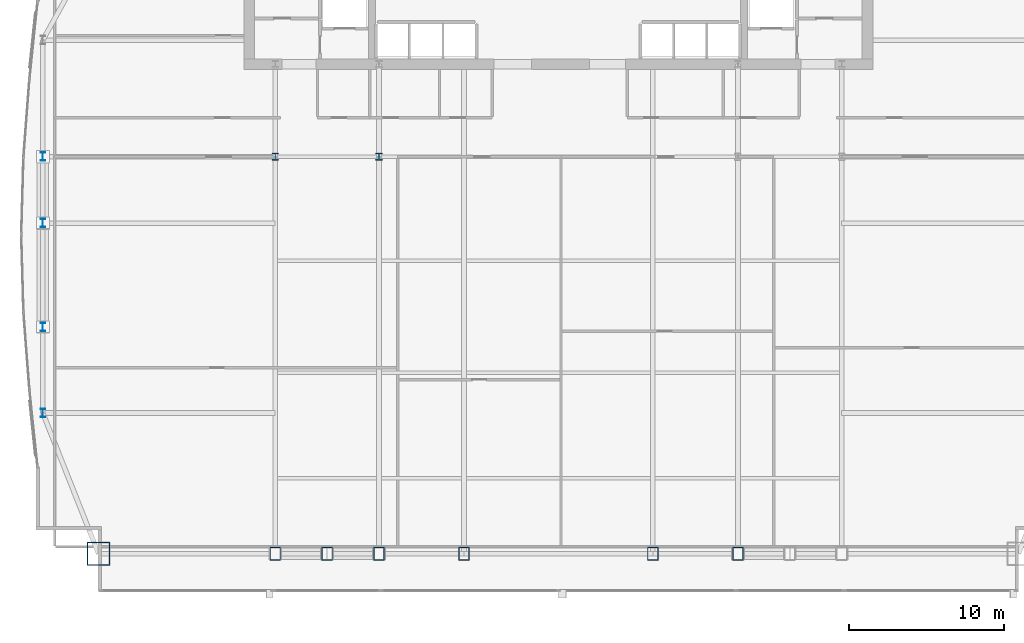
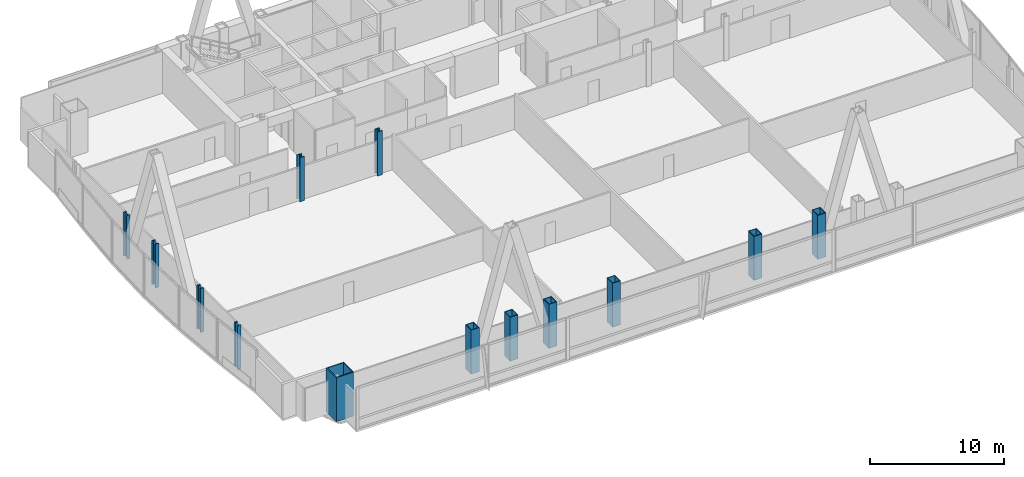
# One storey, part 1 of 32: 13 columns.
"""IFC4 building model written with IfcOpenShell, lengths in metres."""

from ifc_helpers import new_model, si_unit, direction, frame, origin, origin_2d, place, context, subcontext, project, spatial, hollow_rectangle, i_section, extrude, material, material_profile, profile_set, type_object, element, save


model = new_model("IFC4")

# Units and contexts
model_context = context("Model", 3, precision=1e-05, world=origin(), true_north=direction((0.0, 1.0)))
body_context = subcontext(model_context, "Body", "Model", "MODEL_VIEW")
ifc_project = project(units=[si_unit("LENGTHUNIT", "METRE"), si_unit("AREAUNIT", "SQUARE_METRE"), si_unit("VOLUMEUNIT", "CUBIC_METRE"), si_unit("PLANEANGLEUNIT", "RADIAN"), si_unit("MASSUNIT", "GRAM", prefix="KILO")], contexts=[model_context])

# Site, building, storey
site_placement = place(None, origin())
site = spatial("IfcSite", under=ifc_project, at=site_placement, CompositionType="ELEMENT")
building_placement = place(site_placement, origin())
building = spatial("IfcBuilding", under=site, at=building_placement, Name="Khoronbel Lancet Exchange", CompositionType="ELEMENT")
storey_placement = place(building_placement, frame((0.0, 0.0, 94.60009765625)))
storey = spatial("IfcBuildingStorey", under=building, at=storey_placement, Name="L22", CompositionType="ELEMENT", Elevation=94.60009765625)

# Columns
ifc_material_1 = material(Name="Steel S460", Category="steel")
ifc_material_profile_1 = material_profile(ifc_material_1, hollow_rectangle(XDim=0.699951171875, YDim=0.85009765625, WallThickness=0.050048828125, at=origin_2d()), Name="BOX 850x700x50")
ifc_profile_set_1 = profile_set([ifc_material_profile_1], Name="Steel S460")
column_type_1 = type_object("IfcColumnType", Name="COL-EC2", PredefinedType="COLUMN", material=ifc_profile_set_1)
for number, where, z_axis, x_axis, name in (
    (1, (18.22509765625, 10.14990234375, 0.0), (0.0, 0.0, 1.0), (1.0, 0.0, 0.0), "Structural column SC-W1 L22"),
    (2, (21.5625, 10.14990234375, 0.0), (0.0, 0.0, 1.0), (1.0, 0.0, 0.0), "Structural column SC-WM L22"),
    (3, (24.89990234375, 10.14990234375, 0.0), (0.0, 0.0, 1.0), (1.0, 0.0, 0.0), "Structural column SC-W2 L22"),
    (4, (30.375, 10.14990234375, 0.0), (0.0, 0.0, 1.0), (1.0, 0.0, 0.0), "Structural column SC-C1 L22"),
    (5, (42.52490234375, 10.14990234375, 0.0), (0.0, 0.0, 1.0), (1.0, 0.0, 0.0), "Structural column SC-C2 L22"),
    (6, (48.0, 10.14990234375, 0.0), (0.0, 0.0, 1.0), (1.0, 0.0, 0.0), "Structural column SC-E1 L22"),
):
    element("IfcColumn", number, at=place(storey_placement, frame(where, z_axis=z_axis, x_axis=x_axis)), inside=storey, type_object=column_type_1, Name=name, PredefinedType="COLUMN", context=body_context, shape_type="SweptSolid", body=[
        extrude(hollow_rectangle(XDim=0.699951171875, YDim=0.85009765625, WallThickness=0.050048828125, at=origin_2d()), origin(), (0.0, 0.0, 1.0), 4.0),
    ])
ifc_material_profile_2 = material_profile(ifc_material_1, i_section(OverallWidth=0.424072265625, OverallDepth=0.47412109375, WebThickness=0.047607421875, FlangeThickness=0.076904296875, at=origin_2d()), Name="HD 400x634")
ifc_profile_set_2 = profile_set([ifc_material_profile_2], Name="Steel S460")
column_type_2 = type_object("IfcColumnType", Name="COL-IC1", PredefinedType="COLUMN", material=ifc_profile_set_2)
for number, where, z_axis, x_axis, name in (
    (7, (18.22509765625, 35.699951171875, 0.0), (0.0, 0.0, 1.0), (1.0, 0.0, 0.0), "Spine gravity column TC1 L22"),
    (8, (24.89990234375, 35.699951171875, 0.0), (0.0, 0.0, 1.0), (1.0, 0.0, 0.0), "Spine gravity column TC2 L22"),
):
    element("IfcColumn", number, at=place(storey_placement, frame(where, z_axis=z_axis, x_axis=x_axis)), inside=storey, type_object=column_type_2, Name=name, PredefinedType="COLUMN", context=body_context, shape_type="SweptSolid", body=[
        extrude(i_section(OverallWidth=0.424072265625, OverallDepth=0.47412109375, WebThickness=0.047607421875, FlangeThickness=0.076904296875, at=origin_2d()), origin(), (0.0, 0.0, 1.0), 4.0),
    ])
ifc_material_2 = material(Name="Steel S355", Category="steel")
ifc_material_profile_3 = material_profile(ifc_material_2, i_section(OverallWidth=0.300048828125, OverallDepth=0.550048828125, WebThickness=0.014892578125, FlangeThickness=0.029052734375, at=origin_2d()), Name="HEB 550")
ifc_profile_set_3 = profile_set([ifc_material_profile_3], Name="Steel S355")
column_type_3 = type_object("IfcColumnType", Name="COL-LC1", PredefinedType="COLUMN", material=ifc_profile_set_3)
for number, where, z_axis, x_axis, name in (
    (9, (3.27001953125, 19.199951171875, 0.0), (0.0, 0.0, 1.0), (1.0, 0.0, 0.0), "Structural column WC-1 L22"),
    (10, (3.27001953125, 24.75, 0.0), (0.0, 0.0, 1.0), (1.0, 0.0, 0.0), "Structural column WC-2 L22"),
    (11, (3.27001953125, 31.425048828125, 0.0), (0.0, 0.0, 1.0), (1.0, 0.0, 0.0), "Structural column WC-M L22"),
    (12, (3.27001953125, 35.699951171875, 0.0), (0.0, 0.0, 1.0), (1.0, 0.0, 0.0), "Structural column WC-3 L22"),
):
    element("IfcColumn", number, at=place(storey_placement, frame(where, z_axis=z_axis, x_axis=x_axis)), inside=storey, type_object=column_type_3, Name=name, PredefinedType="COLUMN", context=body_context, shape_type="SweptSolid", body=[
        extrude(i_section(OverallWidth=0.300048828125, OverallDepth=0.550048828125, WebThickness=0.014892578125, FlangeThickness=0.029052734375, at=origin_2d()), origin(), (0.0, 0.0, 1.0), 4.0),
    ])
ifc_material_profile_4 = material_profile(ifc_material_1, hollow_rectangle(XDim=1.5, YDim=1.5, WallThickness=0.070068359375, at=origin_2d()), Name="BOX 1500x1500x70")
ifc_profile_set_4 = profile_set([ifc_material_profile_4], Name="Steel S460")
column_type_4 = type_object("IfcColumnType", Name="COL-MC3", PredefinedType="COLUMN", material=ifc_profile_set_4)
column_placement = place(storey_placement, frame((6.85009765625, 10.14990234375, 0.0), z_axis=(0.0, 0.0, 1.0), x_axis=(1.0, 0.0, 0.0)))
element("IfcColumn", 13, at=column_placement, inside=storey, type_object=column_type_4, Name="Structural column MC-SW L22", PredefinedType="COLUMN", context=body_context, shape_type="SweptSolid", body=[
    extrude(hollow_rectangle(XDim=1.5, YDim=1.5, WallThickness=0.070068359375, at=origin_2d()), origin(), (0.0, 0.0, 1.0), 4.0),
])

save(model, "model.ifc")
